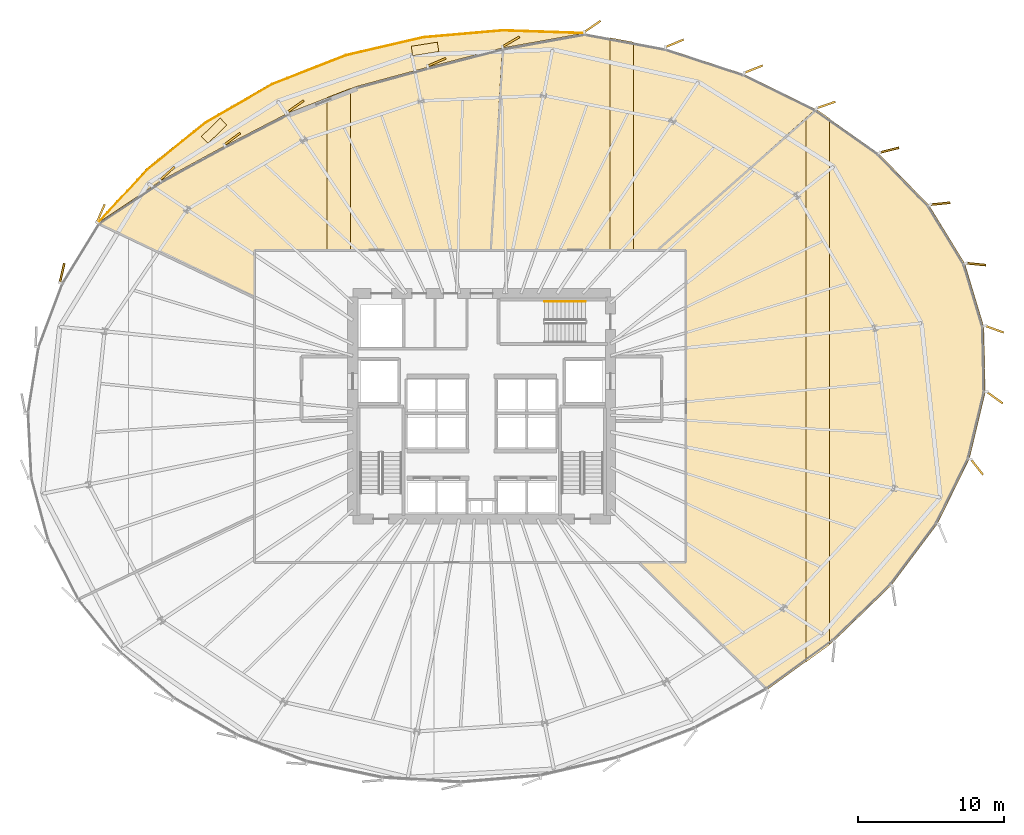
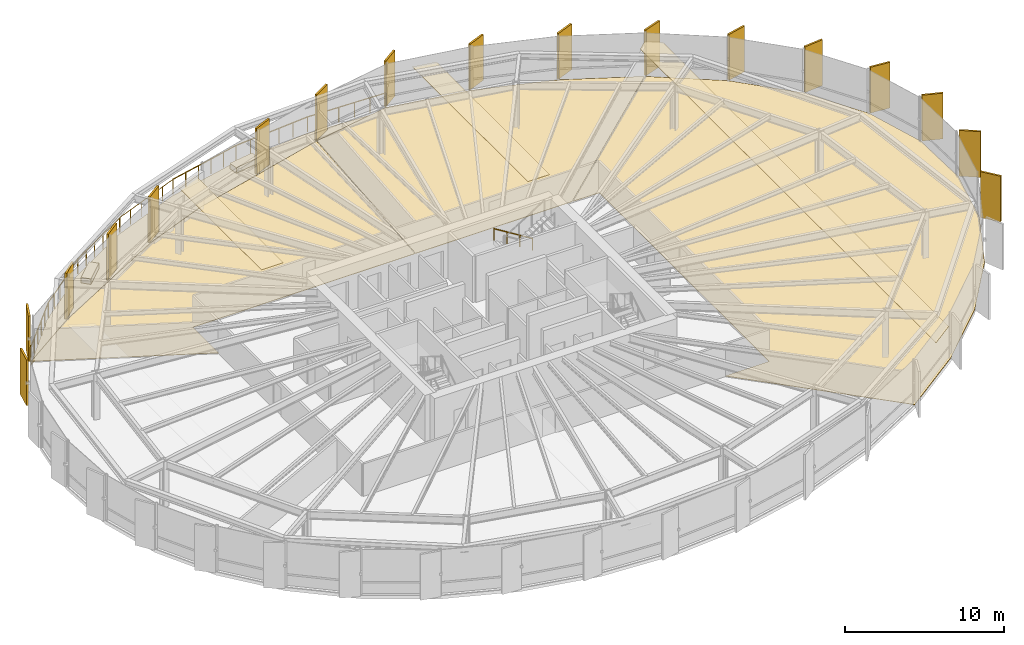
# One storey, part 38 of 38: 26 coverings, 8 railings.
"""IFC4 building model written with IfcOpenShell, lengths in metres."""

from ifc_helpers import new_model, si_unit, direction, frame, origin, origin_2d, place, context, subcontext, project, spatial, polyline, rectangle, circle, outline, extrude, source, transform, mapped, material, layer, layer_set, type_object, element, save


model = new_model("IFC4")

# Units and contexts
model_context = context("Model", 3, precision=1e-05, world=origin(), true_north=direction((0.0, 1.0)))
body_context = subcontext(model_context, "Body", "Model", "MODEL_VIEW")
ifc_project = project(units=[si_unit("LENGTHUNIT", "METRE"), si_unit("AREAUNIT", "SQUARE_METRE"), si_unit("VOLUMEUNIT", "CUBIC_METRE"), si_unit("PLANEANGLEUNIT", "RADIAN"), si_unit("MASSUNIT", "GRAM", prefix="KILO"), si_unit("THERMODYNAMICTEMPERATUREUNIT", "KELVIN")], contexts=[model_context])

# Site, building, storey
site_placement = place(None, origin())
site = spatial("IfcSite", under=ifc_project, at=site_placement, CompositionType="ELEMENT")
building_placement = place(site_placement, origin())
building = spatial("IfcBuilding", under=site, at=building_placement, Name="Kethvar Cultural Tower", CompositionType="ELEMENT")
storey_placement = place(building_placement, frame((0.0, 0.0, 67.60009765625)))
storey = spatial("IfcBuildingStorey", under=building, at=storey_placement, Name="L16", CompositionType="ELEMENT", Elevation=67.60009765625)

# Coverings
ifc_material_1 = material(Name="Acoustic Mineral Fibre Ceiling")
ifc_layer_1 = layer(ifc_material_1, 0.0400390625, Name="Acoustic Mineral Fibre Ceiling")
ifc_layer_set_1 = layer_set([ifc_layer_1], Name="Acoustic Mineral Fibre Ceiling (40 mm)")
covering_type_1 = type_object("IfcCoveringType", Name="CV-ACOUSTIC-CEIL", PredefinedType="CEILING", material=ifc_layer_set_1)
covering_1_placement = place(storey_placement, frame((0.0, 0.0, 2.669921875)))
element("IfcCovering", 1, at=covering_1_placement, inside=storey, type_object=covering_type_1, Name="L16 Room 02 Acoustic Ceiling Panel", PredefinedType="CEILING", context=body_context, shape_type="SweptSolid", body=[
    extrude(outline(polyline([(68.949951171875, 10.333740234375), (68.949951171875, 47.50048828125), (69.639892578125, 48.105712890625), (70.539794921875, 47.476318359375), (70.539794921875, 11.49365234375), (68.949951171875, 10.333740234375)])), origin(), (0.0, 0.0, 1.0), 0.0400390625),
])
covering_2_placement = place(storey_placement, frame((0.0, 0.0, 2.669921875)))
element("IfcCovering", 2, at=covering_2_placement, inside=storey, type_object=covering_type_1, Name="L16 Room 03 Acoustic Ceiling Panel", PredefinedType="CEILING", context=body_context, shape_type="SweptSolid", body=[
    extrude(outline(polyline([(57.16162109375, 52.6796875), (57.16162109375, 38.43994140625), (55.571533203125, 38.43994140625), (55.571533203125, 52.975830078125), (57.16162109375, 52.6796875)])), origin(), (0.0, 0.0, 1.0), 0.0400390625),
])
covering_3_placement = place(storey_placement, frame((0.0, 0.0, 2.669921875)))
element("IfcCovering", 3, at=covering_3_placement, inside=storey, type_object=covering_type_1, Name="L16 Room 04 Acoustic Ceiling Panel", PredefinedType="CEILING", context=body_context, shape_type="SweptSolid", body=[
    extrude(outline(polyline([(37.833984375, 49.498291015625), (37.833984375, 38.43994140625), (36.244140625, 38.43994140625), (36.244140625, 48.88232421875), (37.833984375, 49.498291015625)])), origin(), (0.0, 0.0, 1.0), 0.0400390625),
])
ifc_material_2 = material(Name="Insulated Waterproofing Membrane")
ifc_layer_2 = layer(ifc_material_2, 0.06005859375, Name="Insulated Waterproofing Membrane")
ifc_layer_set_2 = layer_set([ifc_layer_2], Name="Insulated Waterproofing Membrane (60 mm)")
covering_type_2 = type_object("IfcCoveringType", Name="CV-ROOF-MEMB", PredefinedType="ROOFING", material=ifc_layer_set_2)
covering_4_placement = place(storey_placement, frame((0.0, 0.0, -0.275146484375)))
element("IfcCovering", 4, at=covering_4_placement, inside=storey, type_object=covering_type_2, Name="L16 Terrace Waterproofing", PredefinedType="ROOFING", context=body_context, shape_type="SweptSolid", body=[
    extrude(outline(polyline([(53.82568359375, 53.280517578125), (48.256103515625, 53.568115234375), (42.79345703125, 53.096923828125), (37.49560546875, 51.864013671875), (32.480712890625, 49.899658203125), (27.90087890625, 47.26416015625), (23.895263671875, 44.037109375), (20.585693359375, 40.31640625), (24.870849609375, 43.18896484375), (29.261474609375, 45.583984375), (33.6201171875, 47.844482421875), (38.2607421875, 49.64208984375), (43.131591796875, 50.961669921875), (48.233642578125, 52.27587890625), (53.82568359375, 53.280517578125)])), origin(), (0.0, 0.0, 1.0), 0.06005859375),
])
ifc_material_3 = material(Name="Honed Warm Limestone", Category="masonry")
ifc_layer_3 = layer(ifc_material_3, 0.030029296875, Name="Honed Warm Limestone", Category="masonry")
ifc_layer_set_3 = layer_set([ifc_layer_3], Name="Honed Warm Limestone (30 mm)")
covering_type_3 = type_object("IfcCoveringType", Name="CV-STONE-FLOOR", PredefinedType="FLOORING", material=ifc_layer_set_3)
covering_5_placement = place(storey_placement, origin())
element("IfcCovering", 5, at=covering_5_placement, inside=storey, type_object=covering_type_3, Name="L16 Room 02 Floor Finish", PredefinedType="FLOORING", context=body_context, shape_type="SweptSolid", body=[
    extrude(outline(polyline([(80.10791015625, 24.216064453125), (77.923095703125, 19.77685546875), (74.77490234375, 15.577880859375), (70.8369140625, 11.759765625), (66.312255859375, 8.458984375), (57.587158203125, 17.1201171875), (60.77001953125, 17.137939453125), (60.77001953125, 38.4619140625), (58.854248046875, 38.47998046875), (69.640380859375, 48.060302734375), (73.920654296875, 45.048095703125), (77.3701171875, 41.501220703125), (79.802490234375, 37.52490234375), (81.095458984375, 33.231689453125), (81.1923828125, 28.74951171875), (80.10791015625, 24.216064453125)])), origin(), (0.0, 0.0, 1.0), 0.02978515625),
])
covering_6_placement = place(storey_placement, origin())
element("IfcCovering", 6, at=covering_6_placement, inside=storey, type_object=covering_type_3, Name="L16 Room 03 Floor Finish", PredefinedType="FLOORING", context=body_context, shape_type="SweptSolid", body=[
    extrude(outline(polyline([(53.82568359375, 53.260009765625), (59.365478515625, 52.22900390625), (64.703857421875, 50.48291015625), (69.603515625, 48.0810546875), (58.794189453125, 38.47998046875), (47.445556640625, 38.47998046875), (48.252685546875, 52.259033203125), (53.82568359375, 53.260009765625)])), origin(), (0.0, 0.0, 1.0), 0.02978515625),
])
covering_7_placement = place(storey_placement, origin())
element("IfcCovering", 7, at=covering_7_placement, inside=storey, type_object=covering_type_3, Name="L16 Room 04 Floor Finish", PredefinedType="FLOORING", context=body_context, shape_type="SweptSolid", body=[
    extrude(outline(polyline([(24.881103515625, 43.171875), (33.62841796875, 47.826171875), (38.26708984375, 49.623046875), (48.2119140625, 52.249755859375), (47.405517578125, 38.47998046875), (31.2861328125, 38.4794921875), (31.27001953125, 35.2373046875), (20.6259765625, 40.3193359375), (24.881103515625, 43.171875)])), origin(), (0.0, 0.0, 1.0), 0.02978515625),
])

# Railings
ifc_material_4 = material(Name="Steel S355J2", Category="steel")
railing_type_1 = type_object("IfcRailingType", Name="RL-EXT-GUARD-1150", PredefinedType="BALUSTRADE", material=ifc_material_4)
railing_1_placement = place(storey_placement, frame((53.82568359375, 53.280517578125, 0.0)))
element("IfcRailing", 8, at=railing_1_placement, inside=storey, type_object=railing_type_1, Name="L16 Spiralling Terrace Balustrade 01", PredefinedType="BALUSTRADE", context=body_context, shape_type="SweptSolid", body=[
    extrude(circle(Radius=0.02392578125, at=origin_2d()), frame((0.0, 0.0, 1.1259765625), z_axis=(-0.999432009266, 0.033699537885, 0.0), x_axis=(-0.033699537885, -0.999432009266, 0.0)), (0.0, 0.0, 1.0), 5.578369140625),
    extrude(circle(Radius=0.02099609375, at=origin_2d()), origin(), (0.0, 0.0, 1.0), 1.101806640625),
    extrude(circle(Radius=0.02099609375, at=origin_2d()), frame((-1.114990234375, 0.03759765625, 0.0)), (0.0, 0.0, 1.0), 1.101806640625),
    extrude(circle(Radius=0.02099609375, at=origin_2d()), frame((-2.22998046875, 0.0751953125, 0.0)), (0.0, 0.0, 1.0), 1.101806640625),
    extrude(circle(Radius=0.02099609375, at=origin_2d()), frame((-3.34521484375, 0.11279296875, 0.0)), (0.0, 0.0, 1.0), 1.101806640625),
    extrude(circle(Radius=0.02099609375, at=origin_2d()), frame((-4.460205078125, 0.150390625, 0.0)), (0.0, 0.0, 1.0), 1.101806640625),
    extrude(circle(Radius=0.02099609375, at=origin_2d()), frame((-5.5751953125, 0.18798828125, 0.0)), (0.0, 0.0, 1.0), 1.101806640625),
])
railing_2_placement = place(storey_placement, frame((48.25048828125, 53.468505859375, 0.0)))
element("IfcRailing", 9, at=railing_2_placement, inside=storey, type_object=railing_type_1, Name="L16 Spiralling Terrace Balustrade 02", PredefinedType="BALUSTRADE", context=body_context, shape_type="SweptSolid", body=[
    extrude(circle(Radius=0.02392578125, at=origin_2d()), frame((0.0, 0.0, 1.1259765625), z_axis=(-0.9962870734, -0.086093364293, 0.0), x_axis=(0.086093364293, -0.9962870734, 0.0)), (0.0, 0.0, 1.0), 5.461669921875),
    extrude(circle(Radius=0.02099609375, at=origin_2d()), origin(), (0.0, 0.0, 1.0), 1.101806640625),
    extrude(circle(Radius=0.02099609375, at=origin_2d()), frame((-1.08837890625, -0.093994140625, 0.0)), (0.0, 0.0, 1.0), 1.101806640625),
    extrude(circle(Radius=0.02099609375, at=origin_2d()), frame((-2.176513671875, -0.18798828125, 0.0)), (0.0, 0.0, 1.0), 1.101806640625),
    extrude(circle(Radius=0.02099609375, at=origin_2d()), frame((-3.264892578125, -0.2822265625, 0.0)), (0.0, 0.0, 1.0), 1.101806640625),
    extrude(circle(Radius=0.02099609375, at=origin_2d()), frame((-4.35302734375, -0.376220703125, 0.0)), (0.0, 0.0, 1.0), 1.101806640625),
    extrude(circle(Radius=0.02099609375, at=origin_2d()), frame((-5.44140625, -0.47021484375, 0.0)), (0.0, 0.0, 1.0), 1.101806640625),
])
railing_3_placement = place(storey_placement, frame((42.80908203125, 52.998291015625, 0.0)))
element("IfcRailing", 10, at=railing_3_placement, inside=storey, type_object=railing_type_1, Name="L16 Spiralling Terrace Balustrade 03", PredefinedType="BALUSTRADE", context=body_context, shape_type="SweptSolid", body=[
    extrude(circle(Radius=0.02392578125, at=origin_2d()), frame((0.0, 0.0, 1.1259765625), z_axis=(-0.973987909792, -0.226599981419, 0.0), x_axis=(0.226599981419, -0.973987909792, 0.0)), (0.0, 0.0, 1.0), 5.418212890625),
    extrude(circle(Radius=0.02099609375, at=origin_2d()), origin(), (0.0, 0.0, 1.0), 1.101806640625),
    extrude(circle(Radius=0.02099609375, at=origin_2d()), frame((-1.055419921875, -0.24560546875, 0.0)), (0.0, 0.0, 1.0), 1.101806640625),
    extrude(circle(Radius=0.02099609375, at=origin_2d()), frame((-2.11083984375, -0.4912109375, 0.0)), (0.0, 0.0, 1.0), 1.101806640625),
    extrude(circle(Radius=0.02099609375, at=origin_2d()), frame((-3.16650390625, -0.736572265625, 0.0)), (0.0, 0.0, 1.0), 1.101806640625),
    extrude(circle(Radius=0.02099609375, at=origin_2d()), frame((-4.221923828125, -0.982177734375, 0.0)), (0.0, 0.0, 1.0), 1.101806640625),
    extrude(circle(Radius=0.02099609375, at=origin_2d()), frame((-5.27734375, -1.227783203125, 0.0)), (0.0, 0.0, 1.0), 1.101806640625),
])
railing_4_placement = place(storey_placement, frame((37.53173828125, 51.7705078125, 0.0)))
element("IfcRailing", 11, at=railing_4_placement, inside=storey, type_object=railing_type_1, Name="L16 Spiralling Terrace Balustrade 04", PredefinedType="BALUSTRADE", context=body_context, shape_type="SweptSolid", body=[
    extrude(circle(Radius=0.02392578125, at=origin_2d()), frame((0.0, 0.0, 1.1259765625), z_axis=(-0.931280371315, -0.364303266527, 0.0), x_axis=(0.364303266527, -0.931280371315, 0.0)), (0.0, 0.0, 1.0), 5.365234375),
    extrude(circle(Radius=0.02099609375, at=origin_2d()), origin(), (0.0, 0.0, 1.0), 1.101806640625),
    extrude(circle(Radius=0.02099609375, at=origin_2d()), frame((-0.999267578125, -0.390869140625, 0.0)), (0.0, 0.0, 1.0), 1.101806640625),
    extrude(circle(Radius=0.02099609375, at=origin_2d()), frame((-1.99853515625, -0.78173828125, 0.0)), (0.0, 0.0, 1.0), 1.101806640625),
    extrude(circle(Radius=0.02099609375, at=origin_2d()), frame((-2.998046875, -1.1728515625, 0.0)), (0.0, 0.0, 1.0), 1.101806640625),
    extrude(circle(Radius=0.02099609375, at=origin_2d()), frame((-3.997314453125, -1.563720703125, 0.0)), (0.0, 0.0, 1.0), 1.101806640625),
    extrude(circle(Radius=0.02099609375, at=origin_2d()), frame((-4.99658203125, -1.95458984375, 0.0)), (0.0, 0.0, 1.0), 1.101806640625),
])
railing_5_placement = place(storey_placement, frame((32.53515625, 49.81591796875, 0.0)))
element("IfcRailing", 12, at=railing_5_placement, inside=storey, type_object=railing_type_1, Name="L16 Spiralling Terrace Balustrade 05", PredefinedType="BALUSTRADE", context=body_context, shape_type="SweptSolid", body=[
    extrude(circle(Radius=0.02392578125, at=origin_2d()), frame((0.0, 0.0, 1.1259765625), z_axis=(-0.866990454837, -0.498324744741, 0.0), x_axis=(0.498324744741, -0.866990454837, 0.0)), (0.0, 0.0, 1.0), 5.2646484375),
    extrude(circle(Radius=0.02099609375, at=origin_2d()), origin(), (0.0, 0.0, 1.0), 1.101806640625),
    extrude(circle(Radius=0.02099609375, at=origin_2d()), frame((-0.912841796875, -0.524658203125, 0.0)), (0.0, 0.0, 1.0), 1.101806640625),
    extrude(circle(Radius=0.02099609375, at=origin_2d()), frame((-1.82568359375, -1.04931640625, 0.0)), (0.0, 0.0, 1.0), 1.101806640625),
    extrude(circle(Radius=0.02099609375, at=origin_2d()), frame((-2.73876953125, -1.57421875, 0.0)), (0.0, 0.0, 1.0), 1.101806640625),
    extrude(circle(Radius=0.02099609375, at=origin_2d()), frame((-3.651611328125, -2.098876953125, 0.0)), (0.0, 0.0, 1.0), 1.101806640625),
    extrude(circle(Radius=0.02099609375, at=origin_2d()), frame((-4.564453125, -2.62353515625, 0.0)), (0.0, 0.0, 1.0), 1.101806640625),
])
railing_6_placement = place(storey_placement, frame((27.970703125, 47.1923828125, 0.0)))
element("IfcRailing", 13, at=railing_6_placement, inside=storey, type_object=railing_type_1, Name="L16 Spiralling Terrace Balustrade 06", PredefinedType="BALUSTRADE", context=body_context, shape_type="SweptSolid", body=[
    extrude(circle(Radius=0.02392578125, at=origin_2d()), frame((0.0, 0.0, 1.1259765625), z_axis=(-0.779151249528, -0.626835967665, 0.0), x_axis=(0.626835967665, -0.779151249528, 0.0)), (0.0, 0.0, 1.0), 5.1259765625),
    extrude(circle(Radius=0.02099609375, at=origin_2d()), origin(), (0.0, 0.0, 1.0), 1.101806640625),
    extrude(circle(Radius=0.02099609375, at=origin_2d()), frame((-0.798828125, -0.642578125, 0.0)), (0.0, 0.0, 1.0), 1.101806640625),
    extrude(circle(Radius=0.02099609375, at=origin_2d()), frame((-1.59765625, -1.28515625, 0.0)), (0.0, 0.0, 1.0), 1.101806640625),
    extrude(circle(Radius=0.02099609375, at=origin_2d()), frame((-2.396240234375, -1.927978515625, 0.0)), (0.0, 0.0, 1.0), 1.101806640625),
    extrude(circle(Radius=0.02099609375, at=origin_2d()), frame((-3.195068359375, -2.570556640625, 0.0)), (0.0, 0.0, 1.0), 1.101806640625),
    extrude(circle(Radius=0.02099609375, at=origin_2d()), frame((-3.993896484375, -3.213134765625, 0.0)), (0.0, 0.0, 1.0), 1.101806640625),
])
railing_7_placement = place(storey_placement, frame((23.976806640625, 43.979248046875, 0.0)))
element("IfcRailing", 14, at=railing_7_placement, inside=storey, type_object=railing_type_1, Name="L16 Spiralling Terrace Balustrade 07", PredefinedType="BALUSTRADE", context=body_context, shape_type="SweptSolid", body=[
    extrude(circle(Radius=0.02392578125, at=origin_2d()), frame((0.0, 0.0, 1.1259765625), z_axis=(-0.67936414105, -0.733801310884, 0.0), x_axis=(0.733801310884, -0.67936414105, 0.0)), (0.0, 0.0, 1.0), 4.99169921875),
    extrude(circle(Radius=0.02099609375, at=origin_2d()), origin(), (0.0, 0.0, 1.0), 1.101806640625),
    extrude(circle(Radius=0.02099609375, at=origin_2d()), frame((-0.67822265625, -0.732666015625, 0.0)), (0.0, 0.0, 1.0), 1.101806640625),
    extrude(circle(Radius=0.02099609375, at=origin_2d()), frame((-1.3564453125, -1.465087890625, 0.0)), (0.0, 0.0, 1.0), 1.101806640625),
    extrude(circle(Radius=0.02099609375, at=origin_2d()), frame((-2.03466796875, -2.19775390625, 0.0)), (0.0, 0.0, 1.0), 1.101806640625),
    extrude(circle(Radius=0.02099609375, at=origin_2d()), frame((-2.712890625, -2.93017578125, 0.0)), (0.0, 0.0, 1.0), 1.101806640625),
    extrude(circle(Radius=0.02099609375, at=origin_2d()), frame((-3.39111328125, -3.662841796875, 0.0)), (0.0, 0.0, 1.0), 1.101806640625),
])
railing_type_2 = type_object("IfcRailingType", Name="RL-STAIR-HANDRAIL", PredefinedType="HANDRAIL", material=ifc_material_4)
railing_8_placement = place(storey_placement, frame((53.89990234375, 34.9599609375, 0.172607421875)))
element("IfcRailing", 15, at=railing_8_placement, inside=storey, type_object=railing_type_2, Name="L16 ST-03 stair handrail 1", PredefinedType="HANDRAIL", context=body_context, shape_type="SweptSolid", body=[
    extrude(circle(Radius=0.02392578125, at=origin_2d()), frame((0.0, 0.0, 0.8759765625), z_axis=(-0.851069175582, 0.0, 0.525053576669), x_axis=(0.0, -1.0, 0.0)), (0.0, 0.0, 1.0), 3.289794921875),
    extrude(circle(Radius=0.02099609375, at=origin_2d()), origin(), (0.0, 0.0, 1.0), 0.851806640625),
    extrude(circle(Radius=0.02099609375, at=origin_2d()), frame((-0.933349609375, 0.0, 0.57568359375)), (0.0, 0.0, 1.0), 0.851806640625),
    extrude(circle(Radius=0.02099609375, at=origin_2d()), frame((-1.866455078125, 0.0, 1.151611328125)), (0.0, 0.0, 1.0), 0.851806640625),
    extrude(circle(Radius=0.02099609375, at=origin_2d()), frame((-2.7998046875, 0.0, 1.727294921875)), (0.0, 0.0, 1.0), 0.851806640625),
])

# Coverings
ifc_material_5 = material(Name="Extruded Architectural Terracotta", Category="masonry")
ifc_layer_4 = layer(ifc_material_5, 0.135009765625, Name="Extruded Architectural Terracotta", Category="masonry")
ifc_layer_set_4 = layer_set([ifc_layer_4], Name="Extruded Architectural Terracotta (135 mm)")
covering_type_4 = type_object("IfcCoveringType", Name="Terracotta Facade Fin FIN-01", PredefinedType="CLADDING", material=ifc_layer_set_4)
shared_shape_1 = source(origin(), body_context, "Body", "SweptSolid", [
    extrude(rectangle(XDim=1.35009765625, YDim=0.135009765625, at=origin_2d()), origin(), (0.0, 0.0, 1.0), 3.510009765625),
])
for number, where, z_axis, x_axis, name in (
    (16, (81.814697265625, 33.069580078125, 0.02001953125), (0.0, 0.0, 1.0), (0.940762469795, -0.339066328947, 0.0), "L16 Vertical Terracotta Fin 1.1"),
    (17, (80.56103515625, 37.509521484375, 0.02001953125), (0.0, 0.0, 1.0), (0.995295283161, -0.096888076238, 0.0), "L16 Vertical Terracotta Fin 1.2"),
    (18, (78.114990234375, 41.6376953125, 0.02001953125), (0.0, 0.0, 1.0), (0.994827659502, 0.101577201628, 0.0), "L16 Vertical Terracotta Fin 1.3"),
    (19, (74.634521484375, 45.292236328125, 0.02001953125), (0.0, 0.0, 1.0), (0.970211220492, 0.242260577957, 0.0), "L16 Vertical Terracotta Fin 1.4"),
    (20, (70.311767578125, 48.3798828125, 0.02001953125), (0.0, 0.0, 1.0), (0.944318957796, 0.329031466499, 0.0), "L16 Vertical Terracotta Fin 1.5"),
    (21, (65.36279296875, 50.828125, 0.02001953125), (0.0, 0.0, 1.0), (0.928550628654, 0.371205778547, 0.0), "L16 Vertical Terracotta Fin 1.6"),
    (22, (59.968505859375, 52.590087890625, 0.02001953125), (0.0, 0.0, 1.0), (0.925606576571, 0.378487074295, 0.0), "L16 Vertical Terracotta Fin 2.1"),
    (23, (54.366455078125, 53.743408203125, 0.02001953125), (0.0, 0.0, 1.0), (0.822044670489, 0.569423005964, 0.0), "L16 Vertical Terracotta Fin 2.2"),
    (24, (48.796875, 52.693115234375, 0.02001953125), (0.0, 0.0, 1.0), (0.864099162217, 0.503321604797, 0.0), "L16 Vertical Terracotta Fin 2.3"),
    (25, (43.731201171875, 51.304443359375, 0.02001953125), (0.0, 0.0, 1.0), (0.919341480754, 0.393460597474, 0.0), "L16 Vertical Terracotta Fin 2.4"),
    (26, (34.095947265625, 48.287109375, 0.02001953125), (0.0, 0.0, 1.0), (0.815026679676, 0.579423430158, 0.0), "L16 Vertical Terracotta Fin 3.1"),
    (27, (29.76513671875, 46.056640625, 0.02001953125), (0.0, 0.0, 1.0), (0.802713402093, 0.596364983966, 0.0), "L16 Vertical Terracotta Fin 3.2"),
    (28, (25.3291015625, 43.705810546875, 0.02001953125), (0.0, 0.0, 1.0), (0.745010490606, 0.667052748205, 0.0), "L16 Vertical Terracotta Fin 3.3"),
    (29, (20.78662109375, 40.977294921875, 0.02001953125), (0.0, 0.0, 1.0), (0.398749068925, 0.917060074385, 0.0), "L16 Vertical Terracotta Fin 3.4"),
    (30, (18.145263671875, 36.902587890625, 0.02001953125), (0.0, 0.0, 1.0), (0.218654200292, 0.975802408633, 0.0), "L16 Vertical Terracotta Fin 3.5"),
    (31, (80.62158203125, 23.659912109375, 0.02001953125), (0.0, 0.0, 1.0), (0.61785961309, -0.786288432137, 0.0), "L16 Vertical Terracotta Fin 6.6"),
    (32, (81.839111328125, 28.396728515625, 0.02001953125), (0.0, 0.0, 1.0), (0.811369990919, -0.584532922799, 0.0), "L16 Vertical Terracotta Fin 7.1"),
):
    element("IfcCovering", number, at=place(storey_placement, frame(where, z_axis=z_axis, x_axis=x_axis)), inside=storey, type_object=covering_type_4, Name=name, PredefinedType="CLADDING", context=body_context, shape_type="MappedRepresentation", body=[
        mapped(shared_shape_1, transform((0.0, 0.0, 0.0), scale=1.0)),
    ])
ifc_layer_5 = layer(ifc_material_5, 0.419921875, Name="Extruded Architectural Terracotta", Category="masonry")
ifc_layer_set_5 = layer_set([ifc_layer_5], Name="Extruded Architectural Terracotta (420 mm)")
covering_type_5 = type_object("IfcCoveringType", Name="Terracotta Terrace Planter PLANTER-01", PredefinedType="USERDEFINED", material=ifc_layer_set_5)
shared_shape_2 = source(origin(), body_context, "Body", "SweptSolid", [
    extrude(rectangle(XDim=1.800048828125, YDim=0.64990234375, at=origin_2d()), origin(), (0.0, 0.0, 1.0), 0.419921875),
])
for number, where, z_axis, x_axis, name in (
    (33, (42.93408203125, 52.2080078125, 0.0), (0.0, 0.0, 1.0), (-0.987688340595, -0.15643446504, 0.0), "L16 Sky Terrace Planter Box A"),
    (34, (28.52783203125, 46.618408203125, 0.0), (0.0, 0.0, 1.0), (-0.717397145963, -0.696664434978, 0.0), "L16 Sky Terrace Planter Box B"),
):
    element("IfcCovering", number, at=place(storey_placement, frame(where, z_axis=z_axis, x_axis=x_axis)), inside=storey, type_object=covering_type_5, Name=name, ObjectType="PLANTER", PredefinedType="USERDEFINED", context=body_context, shape_type="MappedRepresentation", body=[
        mapped(shared_shape_2, transform((0.0, 0.0, 0.0), scale=1.0)),
    ])

save(model, "model.ifc")
